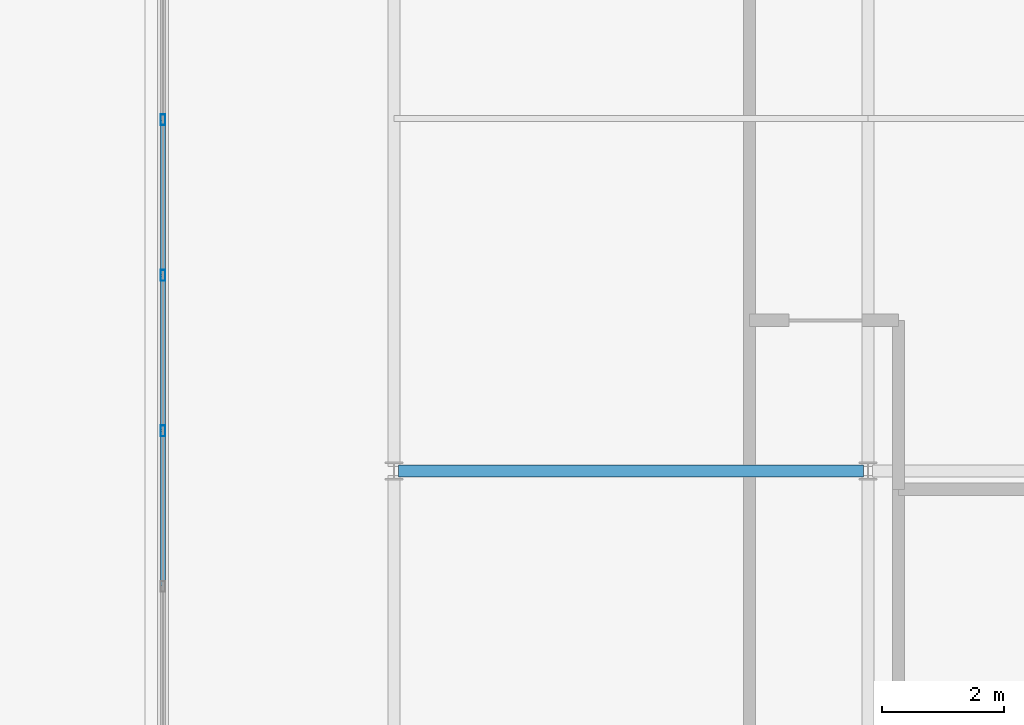
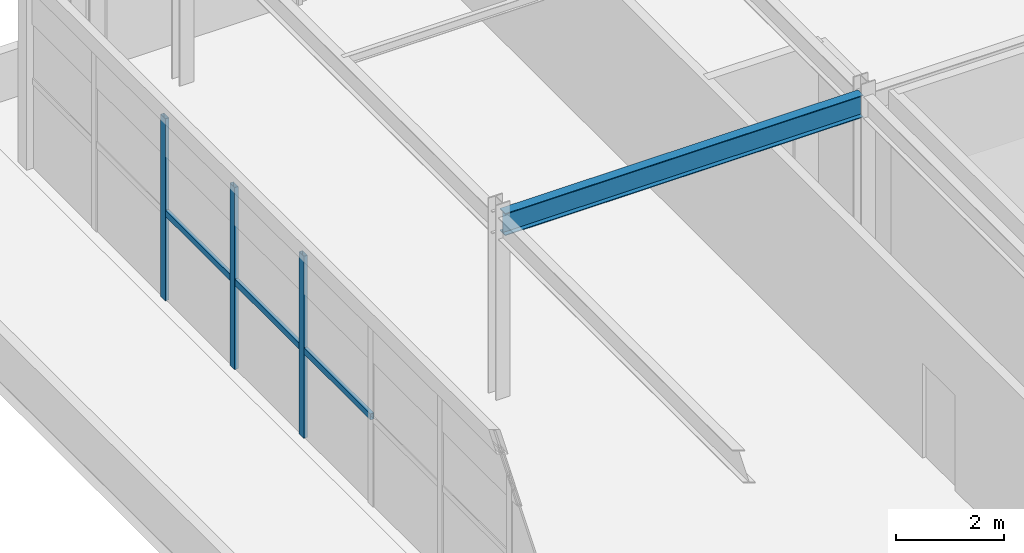
# One storey, part 17 of 28: 6 members, 1 beam, 1 element without a shape of its own.
"""IFC4 building model written with IfcOpenShell, lengths in metres."""

from ifc_helpers import new_model, si_unit, direction, frame, origin, origin_2d, place, context, subcontext, project, spatial, hollow_rectangle, i_section, extrude, source, transform, mapped, material, material_profile, profile_set, type_object, element, aggregate, save


model = new_model("IFC4")

# Units and contexts
model_context = context("Model", 3, precision=1e-05, world=origin(), true_north=direction((0.0, 1.0)))
body_context = subcontext(model_context, "Body", "Model", "MODEL_VIEW")
ifc_project = project(units=[si_unit("LENGTHUNIT", "METRE"), si_unit("AREAUNIT", "SQUARE_METRE"), si_unit("VOLUMEUNIT", "CUBIC_METRE"), si_unit("PLANEANGLEUNIT", "RADIAN"), si_unit("MASSUNIT", "GRAM", prefix="KILO")], contexts=[model_context])

# Site, building, storey
site_placement = place(None, origin())
site = spatial("IfcSite", under=ifc_project, at=site_placement, CompositionType="ELEMENT")
building_placement = place(site_placement, origin())
building = spatial("IfcBuilding", under=site, at=building_placement, Name="Trelvane Seafront Commons", CompositionType="ELEMENT")
storey_placement = place(building_placement, frame((0.0, 0.0, 312.300048828125)))
storey = spatial("IfcBuildingStorey", under=building, at=storey_placement, Name="L81", CompositionType="ELEMENT", Elevation=312.300048828125)

# Beam
ifc_material_1 = material(Name="Steel SM355 (S355)", Category="steel")
ifc_material_profile_1 = material_profile(ifc_material_1, i_section(OverallWidth=0.199951171875, OverallDepth=0.5, WebThickness=0.010009765625, FlangeThickness=0.01611328125, at=origin_2d()), Name="H-500x200x10x16")
ifc_profile_set_1 = profile_set([ifc_material_profile_1], Name="Steel SM355 (S355)")
beam_type = type_object("IfcBeamType", Name="STR-CROWN-FRAME-RING", PredefinedType="SPANDREL", material=ifc_profile_set_1)
shared_shape_1 = source(origin(), body_context, "Body", "SweptSolid", [
    extrude(i_section(OverallWidth=0.199951171875, OverallDepth=0.5, WebThickness=0.010009765625, FlangeThickness=0.01611328125, at=origin_2d()), origin(), (0.0, 0.0, 1.0), 7.650146484375),
])
beam_placement = place(storey_placement, frame((51.074951171875, 33.39990234375, 3.85986328125), z_axis=(1.0, 0.0, 0.0), x_axis=(0.0, 1.0, 0.0)))
element("IfcBeam", 1, at=beam_placement, inside=storey, type_object=beam_type, Name="L81 CROWN FRAME Ring Beam G-07", PredefinedType="SPANDREL", context=body_context, shape_type="MappedRepresentation", body=[
    mapped(shared_shape_1, transform((0.0, 0.0, 0.0), x_axis=(1.0, 0.0, 0.0), y_axis=(0.0, 1.0, 0.0), z_axis=(0.0, 0.0, 1.0), scale=1.0)),
])

# Curtain wall, members
ifc_material_2 = material(Name="Anodised pale-silver aluminium", Category="aluminium")
curtain_wall_type = type_object("IfcCurtainWallType", Name="ARCH-CW6-CROWN", PredefinedType="NOTDEFINED", material=ifc_material_2)
curtain_wall_placement = place(storey_placement, origin())
curtain_wall = element("IfcCurtainWall", 2, at=curtain_wall_placement, inside=storey, type_object=curtain_wall_type, Name="CW-L81-0148", PredefinedType="NOTDEFINED")
ifc_material_profile_2 = material_profile(ifc_material_2, hollow_rectangle(XDim=0.080078125, YDim=0.179931640625, WallThickness=0.00439453125, at=origin_2d()), Name="MULL-80x180x4.5")
ifc_profile_set_2 = profile_set([ifc_material_profile_2], Name="Anodised pale-silver aluminium")
member_type_1 = type_object("IfcMemberType", Name="ARCH-CW-MULL-180", PredefinedType="MULLION", material=ifc_profile_set_2)
shared_shape_2 = source(origin(), body_context, "Body", "SweptSolid", [
    extrude(hollow_rectangle(XDim=0.080078125, YDim=0.179931640625, WallThickness=0.00439453125, at=origin_2d()), origin(), (0.0, 0.0, 1.0), 4.10986328125),
])
member_1_placement = place(storey_placement, frame((47.199951171875, 34.06005859375, 0.0), z_axis=(0.0, 0.0, 1.0), x_axis=(1.0, 0.0, 0.0)))
member_1 = element("IfcMember", 3, at=member_1_placement, type_object=member_type_1, Name="CW-L81-0148-M06", PredefinedType="MULLION", context=body_context, shape_type="MappedRepresentation", body=[
    mapped(shared_shape_2, transform((0.0, 0.0, 0.0), x_axis=(1.0, 0.0, 0.0), y_axis=(0.0, 1.0, 0.0), z_axis=(0.0, 0.0, 1.0), scale=1.0)),
])
member_2_placement = place(storey_placement, frame((47.199951171875, 36.6201171875, 0.0), z_axis=(0.0, 0.0, 1.0), x_axis=(1.0, 0.0, 0.0)))
member_2 = element("IfcMember", 4, at=member_2_placement, type_object=member_type_1, Name="CW-L81-0148-M07", PredefinedType="MULLION", context=body_context, shape_type="MappedRepresentation", body=[
    mapped(shared_shape_2, transform((0.0, 0.0, 0.0), x_axis=(1.0, 0.0, 0.0), y_axis=(0.0, 1.0, 0.0), z_axis=(0.0, 0.0, 1.0), scale=1.0)),
])
member_3_placement = place(storey_placement, frame((47.199951171875, 39.179931640625, 0.0), z_axis=(0.0, 0.0, 1.0), x_axis=(1.0, 0.0, 0.0)))
member_3 = element("IfcMember", 5, at=member_3_placement, type_object=member_type_1, Name="CW-L81-0148-M08", PredefinedType="MULLION", context=body_context, shape_type="MappedRepresentation", body=[
    mapped(shared_shape_2, transform((0.0, 0.0, 0.0), x_axis=(1.0, 0.0, 0.0), y_axis=(0.0, 1.0, 0.0), z_axis=(0.0, 0.0, 1.0), scale=1.0)),
])
ifc_material_profile_3 = material_profile(ifc_material_2, hollow_rectangle(XDim=0.074951171875, YDim=0.139892578125, WallThickness=0.00390625, at=origin_2d()), Name="TRAN-75x140x4")
ifc_profile_set_3 = profile_set([ifc_material_profile_3], Name="Anodised pale-silver aluminium")
member_type_2 = type_object("IfcMemberType", Name="ARCH-CW-TRAN-140", PredefinedType="USERDEFINED", material=ifc_profile_set_3)
shared_shape_3 = source(origin(), body_context, "Body", "SweptSolid", [
    extrude(hollow_rectangle(XDim=0.074951171875, YDim=0.139892578125, WallThickness=0.00390625, at=origin_2d()), origin(), (0.0, 0.0, 1.0), 2.5361328125),
])
member_4_placement = place(storey_placement, frame((47.199951171875, 31.511962890625, 1.972900390625), z_axis=(0.0, 1.0, 0.0), x_axis=(-1.0, 0.0, 0.0)))
member_4 = element("IfcMember", 6, at=member_4_placement, type_object=member_type_2, Name="CW-L81-0148-T05", ObjectType="TRANSOM", PredefinedType="USERDEFINED", context=body_context, shape_type="MappedRepresentation", body=[
    mapped(shared_shape_3, transform((0.0, 0.0, 0.0), x_axis=(1.0, 0.0, 0.0), y_axis=(0.0, 1.0, 0.0), z_axis=(0.0, 0.0, 1.0), scale=1.0)),
])
shared_shape_4 = source(origin(), body_context, "Body", "SweptSolid", [
    extrude(hollow_rectangle(XDim=0.074951171875, YDim=0.139892578125, WallThickness=0.00390625, at=origin_2d()), origin(), (0.0, 0.0, 1.0), 2.535888671875),
])
member_5_placement = place(storey_placement, frame((47.199951171875, 34.072021484375, 1.972900390625), z_axis=(0.0, 1.0, 0.0), x_axis=(-1.0, 0.0, 0.0)))
member_5 = element("IfcMember", 7, at=member_5_placement, type_object=member_type_2, Name="CW-L81-0148-T06", ObjectType="TRANSOM", PredefinedType="USERDEFINED", context=body_context, shape_type="MappedRepresentation", body=[
    mapped(shared_shape_4, transform((0.0, 0.0, 0.0), x_axis=(1.0, 0.0, 0.0), y_axis=(0.0, 1.0, 0.0), z_axis=(0.0, 0.0, 1.0), scale=1.0)),
])
member_6_placement = place(storey_placement, frame((47.199951171875, 36.632080078125, 1.972900390625), z_axis=(0.0, 1.0, 0.0), x_axis=(-1.0, 0.0, 0.0)))
member_6 = element("IfcMember", 8, at=member_6_placement, type_object=member_type_2, Name="CW-L81-0148-T07", ObjectType="TRANSOM", PredefinedType="USERDEFINED", context=body_context, shape_type="MappedRepresentation", body=[
    mapped(shared_shape_4, transform((0.0, 0.0, 0.0), x_axis=(1.0, 0.0, 0.0), y_axis=(0.0, 1.0, 0.0), z_axis=(0.0, 0.0, 1.0), scale=1.0)),
])
aggregate(curtain_wall, [member_1, member_2, member_3, member_4, member_5, member_6])

save(model, "model.ifc")
